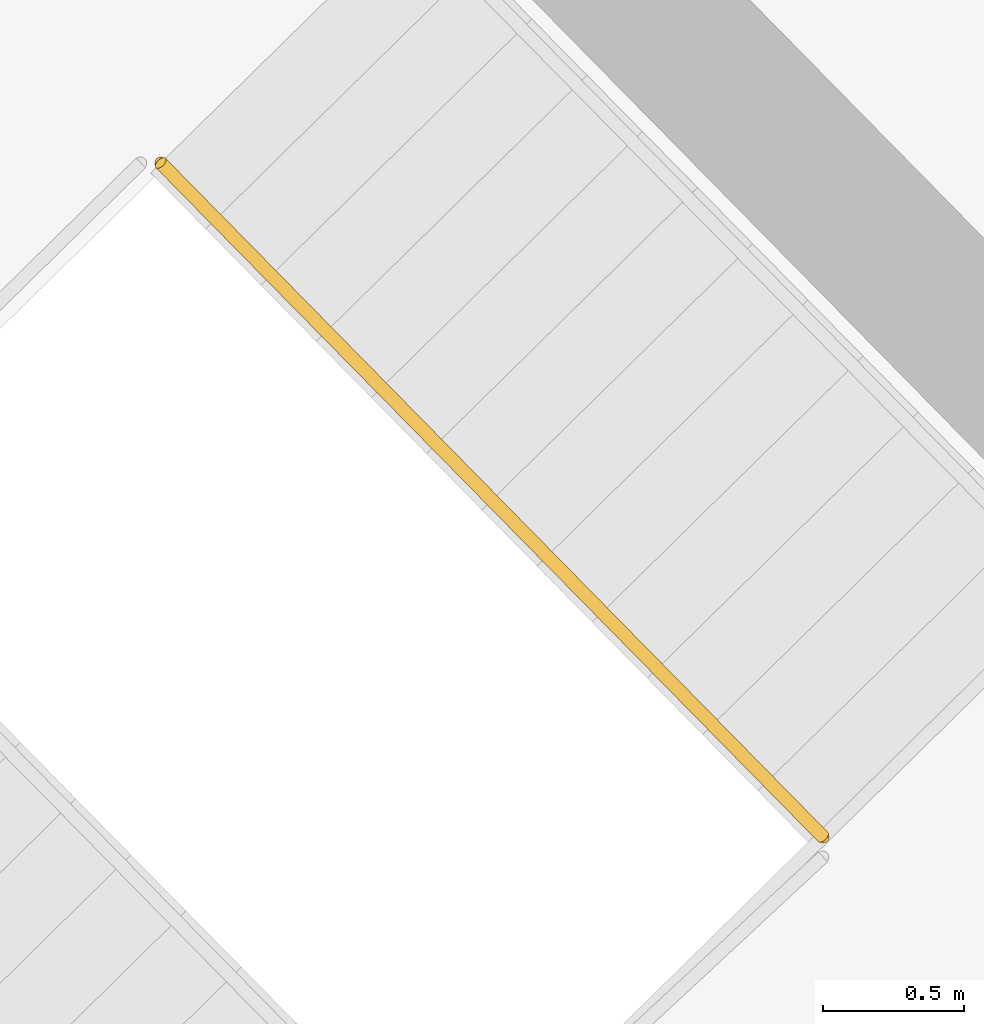
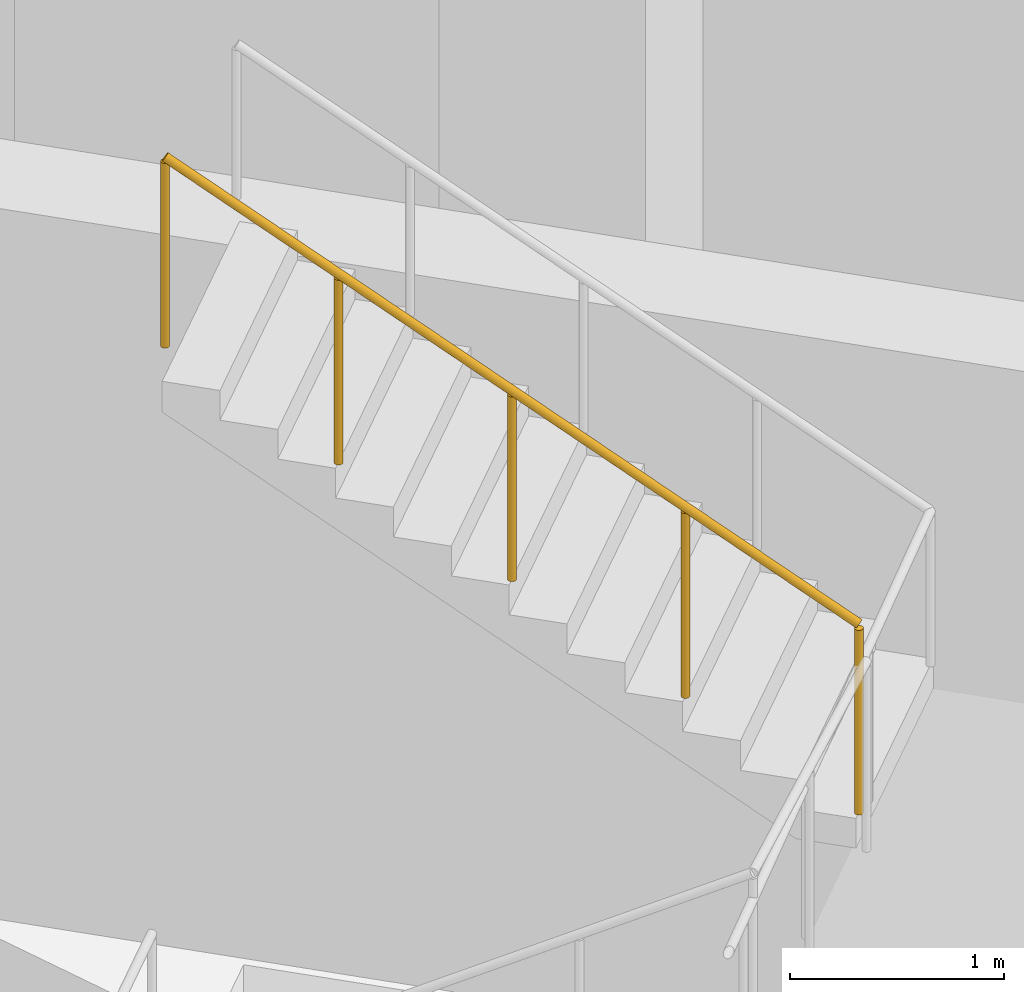
# One storey, part 10 of 10: 1 railing.
"""IFC4 building model written with IfcOpenShell, lengths in metres."""

from ifc_helpers import new_model, si_unit, direction, frame, origin, origin_2d, place, context, subcontext, project, spatial, circle, extrude, material, type_object, element, save


model = new_model("IFC4")

# Units and contexts
model_context = context("Model", 3, precision=1e-05, world=origin(), true_north=direction((0.0, 1.0)))
body_context = subcontext(model_context, "Body", "Model", "MODEL_VIEW")
ifc_project = project(units=[si_unit("LENGTHUNIT", "METRE"), si_unit("AREAUNIT", "SQUARE_METRE"), si_unit("VOLUMEUNIT", "CUBIC_METRE"), si_unit("PLANEANGLEUNIT", "RADIAN"), si_unit("MASSUNIT", "GRAM", prefix="KILO")], contexts=[model_context])

# Site, building, storey
site_placement = place(None, origin())
site = spatial("IfcSite", under=ifc_project, at=site_placement, CompositionType="ELEMENT")
building_placement = place(site_placement, origin())
building = spatial("IfcBuilding", under=site, at=building_placement, Name="Binnacle Exchange Tower", CompositionType="ELEMENT")
storey_placement = place(building_placement, frame((0.0, 0.0, 145.5)))
storey = spatial("IfcBuildingStorey", under=building, at=storey_placement, Name="L30", CompositionType="ELEMENT", Elevation=145.5)

# Railing
ifc_material = material(Name="Steel guard rail", Category="steel")
railing_type = type_object("IfcRailingType", Name="STAIR GUARD 1100", PredefinedType="GUARDRAIL", material=ifc_material)
railing_placement = place(storey_placement, frame((44.4970703125, 45.947021484375, 2.369140625)))
element("IfcRailing", 1, at=railing_placement, inside=storey, type_object=railing_type, Name="L30 STB1 stair guard 2", PredefinedType="GUARDRAIL", context=body_context, shape_type="SweptSolid", body=[
    extrude(circle(Radius=0.02392578125, at=origin_2d()), frame((0.0, 0.0, 1.076171875), z_axis=(-0.599850224077, 0.610421915772, 0.51726665601), x_axis=(-0.713256128111, -0.700903485305, 0.0)), (0.0, 0.0, 1.0), 3.926025390625),
    extrude(circle(Radius=0.02099609375, at=origin_2d()), origin(), (0.0, 0.0, 1.0), 1.052001953125),
    extrude(circle(Radius=0.02099609375, at=origin_2d()), frame((-0.5888671875, 0.59912109375, 0.5078125)), (0.0, 0.0, 1.0), 1.052001953125),
    extrude(circle(Radius=0.02099609375, at=origin_2d()), frame((-1.177490234375, 1.1982421875, 1.015380859375)), (0.0, 0.0, 1.0), 1.052001953125),
    extrude(circle(Radius=0.02099609375, at=origin_2d()), frame((-1.76611328125, 1.79736328125, 1.52294921875)), (0.0, 0.0, 1.0), 1.052001953125),
    extrude(circle(Radius=0.02099609375, at=origin_2d()), frame((-2.35498046875, 2.396484375, 2.03076171875)), (0.0, 0.0, 1.0), 1.052001953125),
])

save(model, "model.ifc")
